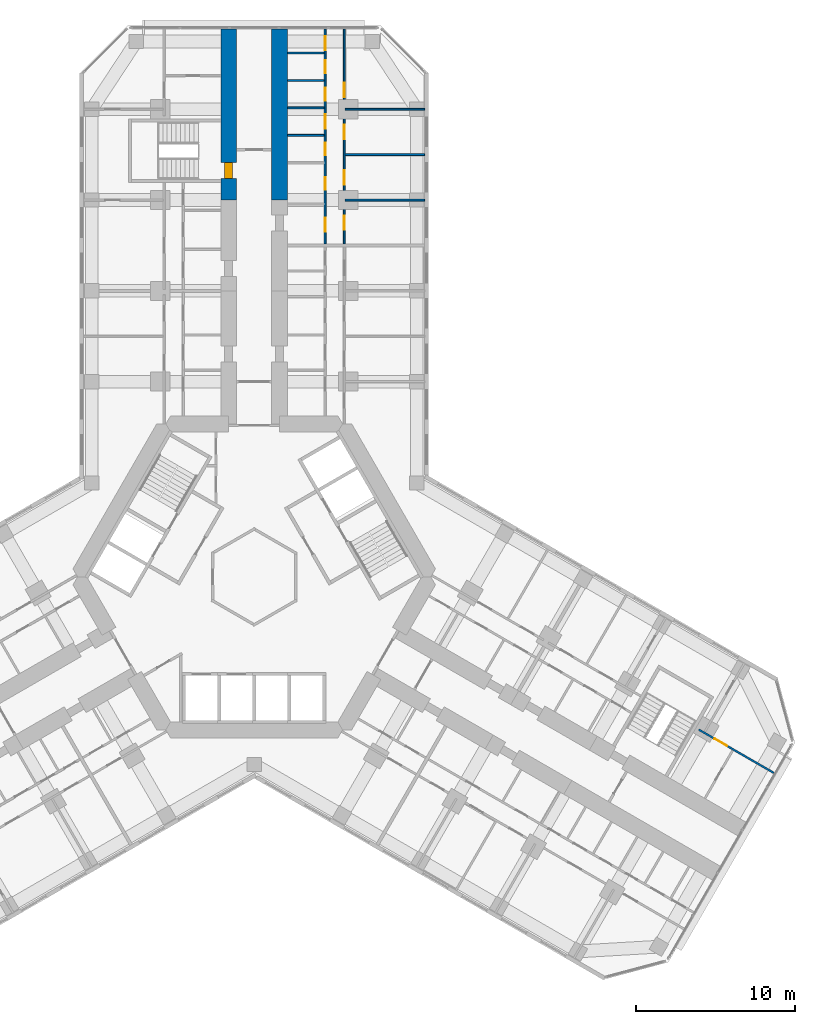
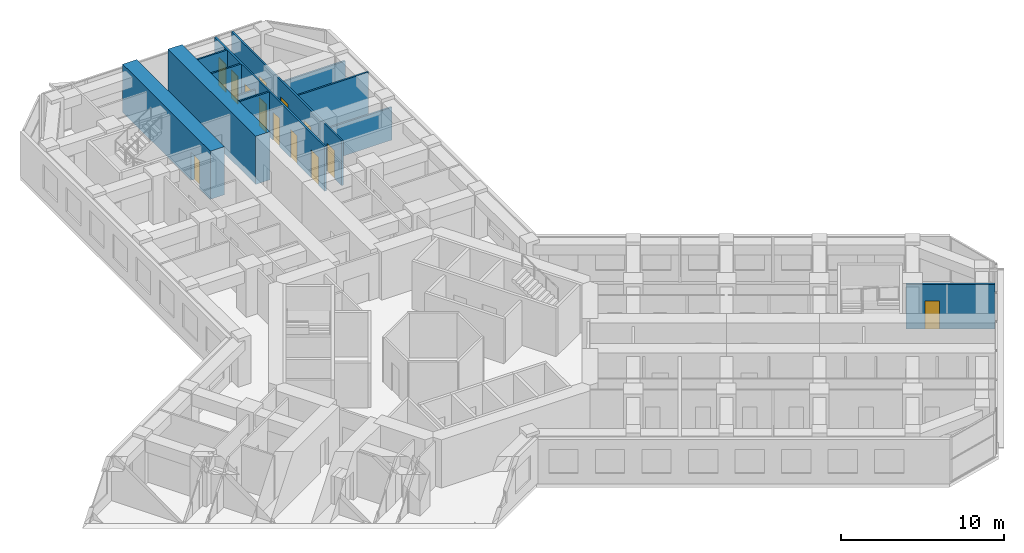
# One storey, part 19 of 21: 13 doors, 12 walls, 13 openings.
"""IFC4 building model written with IfcOpenShell, lengths in metres."""

from ifc_helpers import new_model, si_unit, direction, frame, frame_2d, origin, place, context, subcontext, project, spatial, rectangle, extrude, material, layer, layer_set, type_object, element, fill, save


model = new_model("IFC4")

# Units and contexts
model_context = context("Model", 3, precision=1e-05, world=origin(), true_north=direction((0.0, 1.0)))
body_context = subcontext(model_context, "Body", "Model", "MODEL_VIEW")
ifc_project = project(units=[si_unit("LENGTHUNIT", "METRE"), si_unit("AREAUNIT", "SQUARE_METRE"), si_unit("VOLUMEUNIT", "CUBIC_METRE"), si_unit("PLANEANGLEUNIT", "RADIAN"), si_unit("MASSUNIT", "GRAM", prefix="KILO")], contexts=[model_context])

# Site, building, storey
site_placement = place(None, origin())
site = spatial("IfcSite", under=ifc_project, at=site_placement, CompositionType="ELEMENT")
building_placement = place(site_placement, origin())
building = spatial("IfcBuilding", under=site, at=building_placement, Name="Kosmar Iwan School Tower", CompositionType="ELEMENT")
storey_placement = place(building_placement, frame((0.0, 0.0, 84.39990234375)))
storey = spatial("IfcBuildingStorey", under=building, at=storey_placement, Name="L20", CompositionType="ELEMENT", Elevation=84.39990234375)

# Wall, opening, door
ifc_material_1 = material(Name="Concrete C50/60", Category="concrete")
ifc_layer_1 = layer(ifc_material_1, 1.0)
ifc_layer_set_1 = layer_set([ifc_layer_1], Name="Corridor buttress wall 1000")
wall_type_1 = type_object("IfcWallType", Name="Corridor buttress wall 1000", PredefinedType="SHEAR", material=ifc_layer_set_1)
wall_1_placement = place(storey_placement, frame((-1.60009765625, 23.64990234375, 0.0), z_axis=(0.0, 0.0, 1.0), x_axis=(0.0, 1.0, 0.0)))
wall_1 = element("IfcWall", 1, at=wall_1_placement, inside=storey, type_object=wall_type_1, Name="Corridor wall AL bay 3", PredefinedType="SHEAR", context=body_context, shape_type="SweptSolid", body=[
    extrude(rectangle(XDim=10.7451171875, YDim=1.0, at=frame_2d((5.37255859375, 0.0))), origin(), (0.0, 0.0, 1.0), 3.60009765625),
])
opening_1_placement = place(wall_1_placement, frame((1.35009765625, 0.0, 0.0)))
opening_1 = element("IfcOpeningElement", 2, at=opening_1_placement, cuts=wall_1, Name="Opening D6", PredefinedType="OPENING", context=body_context, shape_type="SweptSolid", body=[
    extrude(rectangle(XDim=1.0, YDim=2.10009765625, at=frame_2d((0.5, 1.050048828125))), frame((0.0, 0.511962890625, 0.0), z_axis=(0.0, -1.0, 0.0), x_axis=(1.0, 0.0, 0.0)), (0.0, 0.0, 1.0), 1.02392578125),
])
ifc_material_2 = material(Name="Steel fire door", Category="steel")
door_type_1 = type_object("IfcDoorType", Name="Stair door 1000x2100", OperationType="SINGLE_SWING_LEFT", PredefinedType="DOOR", material=ifc_material_2)
door_1_placement = place(opening_1_placement, origin())
door_1 = element("IfcDoor", 3, at=door_1_placement, inside=storey, type_object=door_type_1, Name="Stair WS1 door L20", OperationType="SINGLE_SWING_LEFT", OverallHeight=2.10009765625, OverallWidth=1.0, PredefinedType="DOOR", context=body_context, shape_type="SweptSolid", body=[
    extrude(rectangle(XDim=1.0, YDim=2.10009765625, at=frame_2d((0.5, 1.050048828125))), frame((0.0, 0.25, 0.0), z_axis=(0.0, -1.0, 0.0), x_axis=(1.0, 0.0, 0.0)), (0.0, 0.0, 1.0), 0.5),
])
fill(opening_1, door_1)

# Wall
wall_2_placement = place(storey_placement, frame((1.60009765625, 23.64990234375, 0.0), z_axis=(0.0, 0.0, 1.0), x_axis=(0.0, 1.0, 0.0)))
element("IfcWall", 4, at=wall_2_placement, inside=storey, type_object=wall_type_1, Name="Corridor wall AR bay 3", PredefinedType="SHEAR", context=body_context, shape_type="SweptSolid", body=[
    extrude(rectangle(XDim=10.7451171875, YDim=1.0, at=frame_2d((5.37255859375, 0.0))), origin(), (0.0, 0.0, 1.0), 3.60009765625),
])

# Wall, openings, doors
ifc_material_3 = material(Name="Gypsum board on steel studs", Category="steel")
ifc_layer_2 = layer(ifc_material_3, 0.1201171875)
ifc_layer_set_2 = layer_set([ifc_layer_2], Name="Dwelling partition 120")
wall_type_2 = type_object("IfcWallType", Name="Dwelling partition 120", PredefinedType="PARTITIONING", material=ifc_layer_set_2)
wall_3_placement = place(storey_placement, frame((4.449951171875, 20.89990234375, 0.0), z_axis=(0.0, 0.0, 1.0), x_axis=(0.0, 1.0, 0.0)))
wall_3 = element("IfcWall", 5, at=wall_3_placement, inside=storey, type_object=wall_type_2, Name="Partition L20-AR2-W1", PredefinedType="PARTITIONING", context=body_context, shape_type="SweptSolid", body=[
    extrude(rectangle(XDim=13.4951171875, YDim=0.1201171875, at=frame_2d((6.74755859375, 0.0))), origin(), (0.0, 0.0, 1.0), 3.35009765625),
])
opening_2_placement = place(wall_3_placement, frame((0.75, 0.0, 0.0)))
opening_2 = element("IfcOpeningElement", 6, at=opening_2_placement, cuts=wall_3, Name="Opening D2", PredefinedType="OPENING", context=body_context, shape_type="SweptSolid", body=[
    extrude(rectangle(XDim=0.89990234375, YDim=2.10009765625, at=frame_2d((0.449951171875, 1.050048828125))), frame((0.0, 0.072021484375, 0.0), z_axis=(0.0, -1.0, 0.0), x_axis=(1.0, 0.0, 0.0)), (0.0, 0.0, 1.0), 0.14404296875),
])
opening_3_placement = place(wall_3_placement, frame((3.392333984375, 0.0, 0.0)))
opening_3 = element("IfcOpeningElement", 7, at=opening_3_placement, cuts=wall_3, Name="Opening D3", PredefinedType="OPENING", context=body_context, shape_type="SweptSolid", body=[
    extrude(rectangle(XDim=0.800048828125, YDim=2.10009765625, at=frame_2d((0.39990234375, 1.050048828125))), frame((0.0, 0.072021484375, 0.0), z_axis=(0.0, -1.0, 0.0), x_axis=(1.0, 0.0, 0.0)), (0.0, 0.0, 1.0), 0.14404296875),
])
opening_4_placement = place(wall_3_placement, frame((5.546142578125, 0.0, 0.0)))
opening_4 = element("IfcOpeningElement", 8, at=opening_4_placement, cuts=wall_3, Name="Opening D3", PredefinedType="OPENING", context=body_context, shape_type="SweptSolid", body=[
    extrude(rectangle(XDim=0.800048828125, YDim=2.10009765625, at=frame_2d((0.39990234375, 1.050048828125))), frame((0.0, 0.072021484375, 0.0), z_axis=(0.0, -1.0, 0.0), x_axis=(1.0, 0.0, 0.0)), (0.0, 0.0, 1.0), 0.14404296875),
])
opening_5_placement = place(wall_3_placement, frame((7.21923828125, 0.0, 0.0)))
opening_5 = element("IfcOpeningElement", 9, at=opening_5_placement, cuts=wall_3, Name="Opening D2", PredefinedType="OPENING", context=body_context, shape_type="SweptSolid", body=[
    extrude(rectangle(XDim=0.89990234375, YDim=2.10009765625, at=frame_2d((0.449951171875, 1.050048828125))), frame((0.0, 0.072021484375, 0.0), z_axis=(0.0, -1.0, 0.0), x_axis=(1.0, 0.0, 0.0)), (0.0, 0.0, 1.0), 0.14404296875),
])
opening_6_placement = place(wall_3_placement, frame((8.992431640625, 0.0, 0.0)))
opening_6 = element("IfcOpeningElement", 10, at=opening_6_placement, cuts=wall_3, Name="Opening D3", PredefinedType="OPENING", context=body_context, shape_type="SweptSolid", body=[
    extrude(rectangle(XDim=0.800048828125, YDim=2.10009765625, at=frame_2d((0.39990234375, 1.050048828125))), frame((0.0, 0.072021484375, 0.0), z_axis=(0.0, -1.0, 0.0), x_axis=(1.0, 0.0, 0.0)), (0.0, 0.0, 1.0), 0.14404296875),
])
opening_7_placement = place(wall_3_placement, frame((10.71533203125, 0.0, 0.0)))
opening_7 = element("IfcOpeningElement", 11, at=opening_7_placement, cuts=wall_3, Name="Opening D3", PredefinedType="OPENING", context=body_context, shape_type="SweptSolid", body=[
    extrude(rectangle(XDim=0.800048828125, YDim=2.10009765625, at=frame_2d((0.39990234375, 1.050048828125))), frame((0.0, 0.072021484375, 0.0), z_axis=(0.0, -1.0, 0.0), x_axis=(1.0, 0.0, 0.0)), (0.0, 0.0, 1.0), 0.14404296875),
])
opening_8_placement = place(wall_3_placement, frame((12.136962890625, 0.0, 0.0)))
opening_8 = element("IfcOpeningElement", 12, at=opening_8_placement, cuts=wall_3, Name="Opening D2", PredefinedType="OPENING", context=body_context, shape_type="SweptSolid", body=[
    extrude(rectangle(XDim=0.89990234375, YDim=2.10009765625, at=frame_2d((0.449951171875, 1.050048828125))), frame((0.0, 0.072021484375, 0.0), z_axis=(0.0, -1.0, 0.0), x_axis=(1.0, 0.0, 0.0)), (0.0, 0.0, 1.0), 0.14404296875),
])
ifc_material_4 = material(Name="Timber door in timber frame", Category="wood")
door_type_2 = type_object("IfcDoorType", Name="Internal door 900x2100", OperationType="SINGLE_SWING_LEFT", PredefinedType="DOOR", material=ifc_material_4)
door_2_placement = place(opening_2_placement, origin())
door_2 = element("IfcDoor", 13, at=door_2_placement, inside=storey, type_object=door_type_2, Name="Entrance hall door L20-AR2-S1", OperationType="SINGLE_SWING_RIGHT", OverallHeight=2.10009765625, OverallWidth=0.89990234375, PredefinedType="DOOR", context=body_context, shape_type="SweptSolid", body=[
    extrude(rectangle(XDim=0.89990234375, YDim=2.10009765625, at=frame_2d((0.449951171875, 1.050048828125))), frame((0.0, 0.02490234375, 0.0), z_axis=(0.0, -1.0, 0.0), x_axis=(1.0, 0.0, 0.0)), (0.0, 0.0, 1.0), 0.050048828125),
])
fill(opening_2, door_2)
door_3_placement = place(opening_5_placement, origin())
door_3 = element("IfcDoor", 14, at=door_3_placement, inside=storey, type_object=door_type_2, Name="Pantry door L20-AR2-S4", OperationType="SINGLE_SWING_LEFT", OverallHeight=2.10009765625, OverallWidth=0.89990234375, PredefinedType="DOOR", context=body_context, shape_type="SweptSolid", body=[
    extrude(rectangle(XDim=0.89990234375, YDim=2.10009765625, at=frame_2d((0.449951171875, 1.050048828125))), frame((0.0, 0.02490234375, 0.0), z_axis=(0.0, -1.0, 0.0), x_axis=(1.0, 0.0, 0.0)), (0.0, 0.0, 1.0), 0.050048828125),
])
fill(opening_5, door_3)
door_4_placement = place(opening_8_placement, origin())
door_4 = element("IfcDoor", 15, at=door_4_placement, inside=storey, type_object=door_type_2, Name="Utility room door L20-AR2-S7", OperationType="SINGLE_SWING_LEFT", OverallHeight=2.10009765625, OverallWidth=0.89990234375, PredefinedType="DOOR", context=body_context, shape_type="SweptSolid", body=[
    extrude(rectangle(XDim=0.89990234375, YDim=2.10009765625, at=frame_2d((0.449951171875, 1.050048828125))), frame((0.0, 0.02490234375, 0.0), z_axis=(0.0, -1.0, 0.0), x_axis=(1.0, 0.0, 0.0)), (0.0, 0.0, 1.0), 0.050048828125),
])
fill(opening_8, door_4)
ifc_material_5 = material(Name="Timber door in timber frame", Category="wood")
door_type_3 = type_object("IfcDoorType", Name="Sanitary room door 800x2100", OperationType="SINGLE_SWING_LEFT", PredefinedType="DOOR", material=ifc_material_5)
door_5_placement = place(opening_3_placement, origin())
door_5 = element("IfcDoor", 16, at=door_5_placement, inside=storey, type_object=door_type_3, Name="Bathroom door L20-AR2-S2", OperationType="SINGLE_SWING_LEFT", OverallHeight=2.10009765625, OverallWidth=0.800048828125, PredefinedType="DOOR", context=body_context, shape_type="SweptSolid", body=[
    extrude(rectangle(XDim=0.800048828125, YDim=2.10009765625, at=frame_2d((0.39990234375, 1.050048828125))), frame((0.0, 0.02490234375, 0.0), z_axis=(0.0, -1.0, 0.0), x_axis=(1.0, 0.0, 0.0)), (0.0, 0.0, 1.0), 0.050048828125),
])
fill(opening_3, door_5)
door_6_placement = place(opening_4_placement, origin())
door_6 = element("IfcDoor", 17, at=door_6_placement, inside=storey, type_object=door_type_3, Name="Shower room door L20-AR2-S3", OperationType="SINGLE_SWING_RIGHT", OverallHeight=2.10009765625, OverallWidth=0.800048828125, PredefinedType="DOOR", context=body_context, shape_type="SweptSolid", body=[
    extrude(rectangle(XDim=0.800048828125, YDim=2.10009765625, at=frame_2d((0.39990234375, 1.050048828125))), frame((0.0, 0.02490234375, 0.0), z_axis=(0.0, -1.0, 0.0), x_axis=(1.0, 0.0, 0.0)), (0.0, 0.0, 1.0), 0.050048828125),
])
fill(opening_4, door_6)
door_7_placement = place(opening_6_placement, origin())
door_7 = element("IfcDoor", 18, at=door_7_placement, inside=storey, type_object=door_type_3, Name="WC door L20-AR2-S5", OperationType="SINGLE_SWING_RIGHT", OverallHeight=2.10009765625, OverallWidth=0.800048828125, PredefinedType="DOOR", context=body_context, shape_type="SweptSolid", body=[
    extrude(rectangle(XDim=0.800048828125, YDim=2.10009765625, at=frame_2d((0.39990234375, 1.050048828125))), frame((0.0, 0.02490234375, 0.0), z_axis=(0.0, -1.0, 0.0), x_axis=(1.0, 0.0, 0.0)), (0.0, 0.0, 1.0), 0.050048828125),
])
fill(opening_6, door_7)
door_8_placement = place(opening_7_placement, origin())
door_8 = element("IfcDoor", 19, at=door_8_placement, inside=storey, type_object=door_type_3, Name="Store door L20-AR2-S6", OperationType="SINGLE_SWING_LEFT", OverallHeight=2.10009765625, OverallWidth=0.800048828125, PredefinedType="DOOR", context=body_context, shape_type="SweptSolid", body=[
    extrude(rectangle(XDim=0.800048828125, YDim=2.10009765625, at=frame_2d((0.39990234375, 1.050048828125))), frame((0.0, 0.02490234375, 0.0), z_axis=(0.0, -1.0, 0.0), x_axis=(1.0, 0.0, 0.0)), (0.0, 0.0, 1.0), 0.050048828125),
])
fill(opening_7, door_8)

wall_4_placement = place(storey_placement, frame((5.64990234375, 20.89990234375, 0.0), z_axis=(0.0, 0.0, 1.0), x_axis=(0.0, 1.0, 0.0)))
wall_4 = element("IfcWall", 20, at=wall_4_placement, inside=storey, type_object=wall_type_2, Name="Partition L20-AR2-W2", PredefinedType="PARTITIONING", context=body_context, shape_type="SweptSolid", body=[
    extrude(rectangle(XDim=13.4951171875, YDim=0.1201171875, at=frame_2d((6.74755859375, 0.0))), origin(), (0.0, 0.0, 1.0), 3.35009765625),
])
opening_9_placement = place(wall_4_placement, frame((0.875, 0.0, 0.0)))
opening_9 = element("IfcOpeningElement", 21, at=opening_9_placement, cuts=wall_4, Name="Opening D2", PredefinedType="OPENING", context=body_context, shape_type="SweptSolid", body=[
    extrude(rectangle(XDim=0.89990234375, YDim=2.10009765625, at=frame_2d((0.449951171875, 1.050048828125))), frame((0.0, 0.072021484375, 0.0), z_axis=(0.0, -1.0, 0.0), x_axis=(1.0, 0.0, 0.0)), (0.0, 0.0, 1.0), 0.14404296875),
])
opening_10_placement = place(wall_4_placement, frame((3.72509765625, 0.0, 0.0)))
opening_10 = element("IfcOpeningElement", 22, at=opening_10_placement, cuts=wall_4, Name="Opening D2", PredefinedType="OPENING", context=body_context, shape_type="SweptSolid", body=[
    extrude(rectangle(XDim=0.89990234375, YDim=2.10009765625, at=frame_2d((0.449951171875, 1.050048828125))), frame((0.0, 0.072021484375, 0.0), z_axis=(0.0, -1.0, 0.0), x_axis=(1.0, 0.0, 0.0)), (0.0, 0.0, 1.0), 0.14404296875),
])
opening_11_placement = place(wall_4_placement, frame((6.574951171875, 0.0, 0.0)))
opening_11 = element("IfcOpeningElement", 23, at=opening_11_placement, cuts=wall_4, Name="Opening D2", PredefinedType="OPENING", context=body_context, shape_type="SweptSolid", body=[
    extrude(rectangle(XDim=0.89990234375, YDim=2.10009765625, at=frame_2d((0.449951171875, 1.050048828125))), frame((0.0, 0.072021484375, 0.0), z_axis=(0.0, -1.0, 0.0), x_axis=(1.0, 0.0, 0.0)), (0.0, 0.0, 1.0), 0.14404296875),
])
opening_12_placement = place(wall_4_placement, frame((9.199951171875, 0.0, 0.0)))
opening_12 = element("IfcOpeningElement", 24, at=opening_12_placement, cuts=wall_4, Name="Opening D2", PredefinedType="OPENING", context=body_context, shape_type="SweptSolid", body=[
    extrude(rectangle(XDim=0.89990234375, YDim=2.10009765625, at=frame_2d((0.449951171875, 1.050048828125))), frame((0.0, 0.072021484375, 0.0), z_axis=(0.0, -1.0, 0.0), x_axis=(1.0, 0.0, 0.0)), (0.0, 0.0, 1.0), 0.14404296875),
])
door_9_placement = place(opening_9_placement, origin())
door_9 = element("IfcDoor", 25, at=door_9_placement, inside=storey, type_object=door_type_2, Name="Living room and kitchen door L20-AR2-F1", OperationType="SINGLE_SWING_LEFT", OverallHeight=2.10009765625, OverallWidth=0.89990234375, PredefinedType="DOOR", context=body_context, shape_type="SweptSolid", body=[
    extrude(rectangle(XDim=0.89990234375, YDim=2.10009765625, at=frame_2d((0.449951171875, 1.050048828125))), frame((0.0, 0.02490234375, 0.0), z_axis=(0.0, -1.0, 0.0), x_axis=(1.0, 0.0, 0.0)), (0.0, 0.0, 1.0), 0.050048828125),
])
fill(opening_9, door_9)
door_10_placement = place(opening_10_placement, origin())
door_10 = element("IfcDoor", 26, at=door_10_placement, inside=storey, type_object=door_type_2, Name="Bedroom 1 door L20-AR2-F2", OperationType="SINGLE_SWING_LEFT", OverallHeight=2.10009765625, OverallWidth=0.89990234375, PredefinedType="DOOR", context=body_context, shape_type="SweptSolid", body=[
    extrude(rectangle(XDim=0.89990234375, YDim=2.10009765625, at=frame_2d((0.449951171875, 1.050048828125))), frame((0.0, 0.02490234375, 0.0), z_axis=(0.0, -1.0, 0.0), x_axis=(1.0, 0.0, 0.0)), (0.0, 0.0, 1.0), 0.050048828125),
])
fill(opening_10, door_10)
door_11_placement = place(opening_11_placement, origin())
door_11 = element("IfcDoor", 27, at=door_11_placement, inside=storey, type_object=door_type_2, Name="Bedroom 2 door L20-AR2-F3", OperationType="SINGLE_SWING_RIGHT", OverallHeight=2.10009765625, OverallWidth=0.89990234375, PredefinedType="DOOR", context=body_context, shape_type="SweptSolid", body=[
    extrude(rectangle(XDim=0.89990234375, YDim=2.10009765625, at=frame_2d((0.449951171875, 1.050048828125))), frame((0.0, 0.02490234375, 0.0), z_axis=(0.0, -1.0, 0.0), x_axis=(1.0, 0.0, 0.0)), (0.0, 0.0, 1.0), 0.050048828125),
])
fill(opening_11, door_11)
door_12_placement = place(opening_12_placement, origin())
door_12 = element("IfcDoor", 28, at=door_12_placement, inside=storey, type_object=door_type_2, Name="Winter garden door L20-AR2-F4", OperationType="SINGLE_SWING_RIGHT", OverallHeight=2.10009765625, OverallWidth=0.89990234375, PredefinedType="DOOR", context=body_context, shape_type="SweptSolid", body=[
    extrude(rectangle(XDim=0.89990234375, YDim=2.10009765625, at=frame_2d((0.449951171875, 1.050048828125))), frame((0.0, 0.02490234375, 0.0), z_axis=(0.0, -1.0, 0.0), x_axis=(1.0, 0.0, 0.0)), (0.0, 0.0, 1.0), 0.050048828125),
])
fill(opening_12, door_12)

# Walls
wall_5_placement = place(storey_placement, frame((5.7099609375, 23.64990234375, 0.0), z_axis=(0.0, 0.0, 1.0), x_axis=(1.0, 0.0, 0.0)))
element("IfcWall", 29, at=wall_5_placement, inside=storey, type_object=wall_type_2, Name="Partition L20-AR2-X1", PredefinedType="PARTITIONING", context=body_context, shape_type="SweptSolid", body=[
    extrude(rectangle(XDim=4.989990234375, YDim=0.1201171875, at=frame_2d((2.4951171875, 0.0))), origin(), (0.0, 0.0, 1.0), 2.4501953125),
])
wall_6_placement = place(storey_placement, frame((5.7099609375, 26.5, 0.0), z_axis=(0.0, 0.0, 1.0), x_axis=(1.0, 0.0, 0.0)))
element("IfcWall", 30, at=wall_6_placement, inside=storey, type_object=wall_type_2, Name="Partition L20-AR2-X2", PredefinedType="PARTITIONING", context=body_context, shape_type="SweptSolid", body=[
    extrude(rectangle(XDim=4.989990234375, YDim=0.1201171875, at=frame_2d((2.4951171875, 0.0))), origin(), (0.0, 0.0, 1.0), 3.35009765625),
])
wall_7_placement = place(storey_placement, frame((5.7099609375, 29.35009765625, 0.0), z_axis=(0.0, 0.0, 1.0), x_axis=(1.0, 0.0, 0.0)))
element("IfcWall", 31, at=wall_7_placement, inside=storey, type_object=wall_type_2, Name="Partition L20-AR2-X3", PredefinedType="PARTITIONING", context=body_context, shape_type="SweptSolid", body=[
    extrude(rectangle(XDim=4.989990234375, YDim=0.1201171875, at=frame_2d((2.4951171875, 0.0))), origin(), (0.0, 0.0, 1.0), 2.4501953125),
])
wall_8_placement = place(storey_placement, frame((2.10009765625, 27.707763671875, 0.0), z_axis=(0.0, 0.0, 1.0), x_axis=(1.0, 0.0, 0.0)))
element("IfcWall", 32, at=wall_8_placement, inside=storey, type_object=wall_type_2, Name="Partition L20-AR2-Y3", PredefinedType="PARTITIONING", context=body_context, shape_type="SweptSolid", body=[
    extrude(rectangle(XDim=2.289794921875, YDim=0.1201171875, at=frame_2d((1.14501953125, 0.0))), origin(), (0.0, 0.0, 1.0), 3.35009765625),
])
wall_9_placement = place(storey_placement, frame((2.10009765625, 29.4306640625, 0.0), z_axis=(0.0, 0.0, 1.0), x_axis=(1.0, 0.0, 0.0)))
element("IfcWall", 33, at=wall_9_placement, inside=storey, type_object=wall_type_2, Name="Partition L20-AR2-Y4", PredefinedType="PARTITIONING", context=body_context, shape_type="SweptSolid", body=[
    extrude(rectangle(XDim=2.289794921875, YDim=0.1201171875, at=frame_2d((1.14501953125, 0.0))), origin(), (0.0, 0.0, 1.0), 2.4501953125),
])
for number, where, z_axis, x_axis, name in (
    (34, (2.10009765625, 31.15380859375, 0.0), (0.0, 0.0, 1.0), (1.0, 0.0, 0.0), "Partition L20-AR2-Y5"),
    (35, (2.10009765625, 32.876953125, 0.0), (0.0, 0.0, 1.0), (1.0, 0.0, 0.0), "Partition L20-AR2-Y6"),
):
    element("IfcWall", number, at=place(storey_placement, frame(where, z_axis=z_axis, x_axis=x_axis)), inside=storey, type_object=wall_type_2, Name=name, PredefinedType="PARTITIONING", context=body_context, shape_type="SweptSolid", body=[
        extrude(rectangle(XDim=2.289794921875, YDim=0.1201171875, at=frame_2d((1.14501953125, 0.0))), origin(), (0.0, 0.0, 1.0), 3.35009765625),
    ])

# Wall, opening, door
wall_10_placement = place(storey_placement, frame((27.896484375, -9.58203125, 0.0), z_axis=(0.0, 0.0, 1.0), x_axis=(0.866035508231, -0.499982498177, 0.0)))
wall_10 = element("IfcWall", 36, at=wall_10_placement, inside=storey, type_object=wall_type_2, Name="Partition L20-CL2-TW", PredefinedType="PARTITIONING", context=body_context, shape_type="SweptSolid", body=[
    extrude(rectangle(XDim=5.445068359375, YDim=0.1201171875, at=frame_2d((2.72265625, 0.0))), origin(), (0.0, 0.0, 1.0), 3.35009765625),
])
opening_13_placement = place(wall_10_placement, frame((1.14990234375, 0.0, 0.0)))
opening_13 = element("IfcOpeningElement", 37, at=opening_13_placement, cuts=wall_10, Name="Opening D2", PredefinedType="OPENING", context=body_context, shape_type="SweptSolid", body=[
    extrude(rectangle(XDim=0.89990234375, YDim=2.10009765625, at=frame_2d((0.449951171875, 1.050048828125))), frame((0.0, 0.072021484375, 0.0), z_axis=(0.0, -1.0, 0.0), x_axis=(1.0, 0.0, 0.0)), (0.0, 0.0, 1.0), 0.14404296875),
])
door_13_placement = place(opening_13_placement, origin())
door_13 = element("IfcDoor", 38, at=door_13_placement, inside=storey, type_object=door_type_2, Name="Dressing room door L20-CL2-T3", OperationType="SINGLE_SWING_LEFT", OverallHeight=2.10009765625, OverallWidth=0.89990234375, PredefinedType="DOOR", context=body_context, shape_type="SweptSolid", body=[
    extrude(rectangle(XDim=0.89990234375, YDim=2.10009765625, at=frame_2d((0.449951171875, 1.050048828125))), frame((0.0, 0.02490234375, 0.0), z_axis=(0.0, -1.0, 0.0), x_axis=(1.0, 0.0, 0.0)), (0.0, 0.0, 1.0), 0.050048828125),
])
fill(opening_13, door_13)

save(model, "model.ifc")
